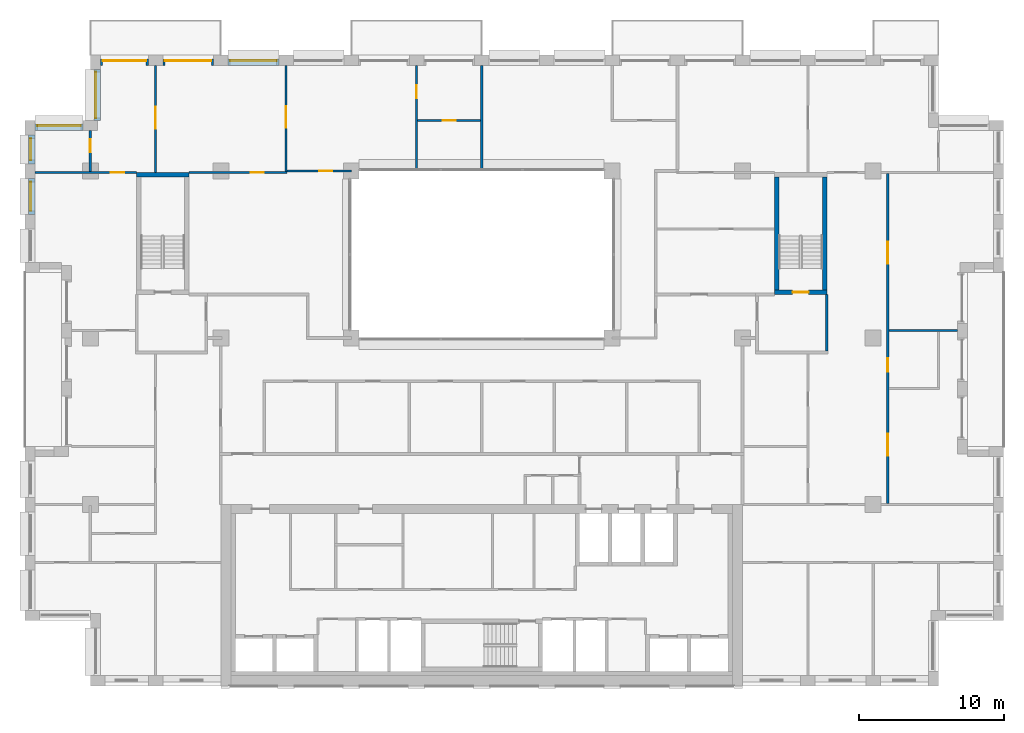
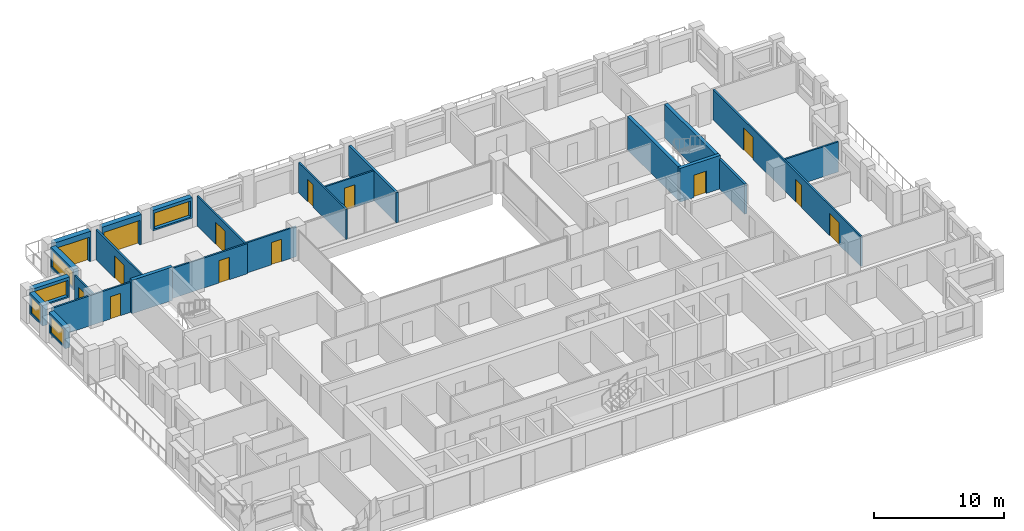
# One storey, part 12 of 16: 23 walls, 14 doors, 5 windows, 19 openings.
"""IFC4 building model written with IfcOpenShell, lengths in metres."""

from ifc_helpers import new_model, si_unit, direction, frame, frame_2d, origin, place, context, subcontext, project, spatial, rectangle, extrude, material, layer, layer_set, type_object, element, fill, save


model = new_model("IFC4")

# Units and contexts
model_context = context("Model", 3, precision=1e-05, world=origin(), true_north=direction((0.0, 1.0)))
body_context = subcontext(model_context, "Body", "Model", "MODEL_VIEW")
ifc_project = project(units=[si_unit("LENGTHUNIT", "METRE"), si_unit("AREAUNIT", "SQUARE_METRE"), si_unit("VOLUMEUNIT", "CUBIC_METRE"), si_unit("PLANEANGLEUNIT", "RADIAN"), si_unit("MASSUNIT", "GRAM", prefix="KILO")], contexts=[model_context])

# Site, building, storey
site_placement = place(None, origin())
site = spatial("IfcSite", under=ifc_project, at=site_placement, CompositionType="ELEMENT")
building_placement = place(site_placement, origin())
building = spatial("IfcBuilding", under=site, at=building_placement, Name="Brigalow Station Residences", CompositionType="ELEMENT")
storey_placement = place(building_placement, frame((0.0, 0.0, 169.64990234375)))
storey = spatial("IfcBuildingStorey", under=building, at=storey_placement, Name="L49", CompositionType="ELEMENT", Elevation=169.64990234375)

# Wall, opening, window
ifc_material_1 = material(Name="Clay brick masonry", Category="masonry")
ifc_layer_1 = layer(ifc_material_1, 0.449951171875)
ifc_layer_set_1 = layer_set([ifc_layer_1], Name="BRICK INFILL WALL 450")
wall_type_1 = type_object("IfcWallType", Name="BRICK INFILL WALL 450", PredefinedType="SOLIDWALL", material=ifc_layer_set_1)
wall_1_placement = place(storey_placement, frame((22.0, 43.02490234375, 0.900146484375), z_axis=(0.0, 0.0, 1.0), x_axis=(-1.0, 0.0, 0.0)))
wall_1 = element("IfcWall", 1, at=wall_1_placement, inside=storey, type_object=wall_type_1, Name="L49/ewall/W-L49-32", PredefinedType="SOLIDWALL", context=body_context, shape_type="SweptSolid", body=[
    extrude(rectangle(XDim=3.5, YDim=0.449951171875, at=frame_2d((1.75, 0.0))), origin(), (0.0, 0.0, 1.0), 1.929931640625),
])
opening_1_placement = place(wall_1_placement, frame((0.14990234375, 0.0, 0.14990234375)))
opening_1 = element("IfcOpeningElement", 2, at=opening_1_placement, cuts=wall_1, Name="Opening WT-9", PredefinedType="OPENING", context=body_context, shape_type="SweptSolid", body=[
    extrude(rectangle(XDim=3.199951171875, YDim=1.5, at=frame_2d((1.60009765625, 0.75))), frame((0.0, 0.23486328125, 0.0), z_axis=(0.0, -1.0, 0.0), x_axis=(1.0, 0.0, 0.0)), (0.0, 0.0, 1.0), 0.469970703125),
])
ifc_material_2 = material(Name="Anodised aluminium frame with double glazing", Category="aluminium")
window_type_1 = type_object("IfcWindowType", Name="WINDOW 3200x1500", PartitioningType="SINGLE_PANEL", PredefinedType="WINDOW", material=ifc_material_2)
window_1_placement = place(opening_1_placement, origin())
window_1 = element("IfcWindow", 3, at=window_1_placement, inside=storey, type_object=window_type_1, Name="L49/window/W-L49-32", OverallHeight=1.5, OverallWidth=3.199951171875, PartitioningType="SINGLE_PANEL", PredefinedType="WINDOW", context=body_context, shape_type="SweptSolid", body=[
    extrude(rectangle(XDim=3.199951171875, YDim=1.5, at=frame_2d((1.60009765625, 0.75))), frame((0.0, -0.06494140625, 0.0), z_axis=(0.0, -1.0, 0.0), x_axis=(1.0, 0.0, 0.0)), (0.0, 0.0, 1.0), 0.06005859375),
])
fill(opening_1, window_1)

# Wall, opening, door
wall_2_placement = place(storey_placement, frame((17.5, 43.02490234375, 0.0), z_axis=(0.0, 0.0, 1.0), x_axis=(-1.0, 0.0, 0.0)))
wall_2 = element("IfcWall", 4, at=wall_2_placement, inside=storey, type_object=wall_type_1, Name="L49/ewall/W-L49-33", PredefinedType="SOLIDWALL", context=body_context, shape_type="SweptSolid", body=[
    extrude(rectangle(XDim=3.5, YDim=0.449951171875, at=frame_2d((1.75, 0.0))), origin(), (0.0, 0.0, 1.0), 2.830078125),
])
opening_2_placement = place(wall_2_placement, frame((0.14990234375, 0.0, 0.0)))
opening_2 = element("IfcOpeningElement", 5, at=opening_2_placement, cuts=wall_2, Name="Opening D-B3200", PredefinedType="OPENING", context=body_context, shape_type="SweptSolid", body=[
    extrude(rectangle(XDim=3.199951171875, YDim=2.300048828125, at=frame_2d((1.60009765625, 1.14990234375))), frame((0.0, 0.23486328125, 0.0), z_axis=(0.0, -1.0, 0.0), x_axis=(1.0, 0.0, 0.0)), (0.0, 0.0, 1.0), 0.469970703125),
])
ifc_material_3 = material(Name="Anodised aluminium frame with double glazing", Category="aluminium")
door_type_1 = type_object("IfcDoorType", Name="BALCONY SLIDING DOOR 3200x2300", OperationType="SLIDING_TO_LEFT", PredefinedType="DOOR", material=ifc_material_3)
door_1_placement = place(opening_2_placement, origin())
door_1 = element("IfcDoor", 6, at=door_1_placement, inside=storey, type_object=door_type_1, Name="L49/balcony-door/W-L49-33", OperationType="SLIDING_TO_LEFT", OverallHeight=2.300048828125, OverallWidth=3.199951171875, PredefinedType="DOOR", context=body_context, shape_type="SweptSolid", body=[
    extrude(rectangle(XDim=3.199951171875, YDim=2.300048828125, at=frame_2d((1.60009765625, 1.14990234375))), frame((0.0, -0.06982421875, 0.0), z_axis=(0.0, -1.0, 0.0), x_axis=(1.0, 0.0, 0.0)), (0.0, 0.0, 1.0), 0.050048828125),
])
fill(opening_2, door_1)

wall_3_placement = place(storey_placement, frame((13.0, 43.02490234375, 0.0), z_axis=(0.0, 0.0, 1.0), x_axis=(-1.0, 0.0, 0.0)))
wall_3 = element("IfcWall", 7, at=wall_3_placement, inside=storey, type_object=wall_type_1, Name="L49/ewall/W-L49-34", PredefinedType="SOLIDWALL", context=body_context, shape_type="SweptSolid", body=[
    extrude(rectangle(XDim=3.300048828125, YDim=0.449951171875, at=frame_2d((1.64990234375, 0.0))), origin(), (0.0, 0.0, 1.0), 2.830078125),
])
opening_3_placement = place(wall_3_placement, frame((0.14990234375, 0.0, 0.0)))
opening_3 = element("IfcOpeningElement", 8, at=opening_3_placement, cuts=wall_3, Name="Opening D-B3000", PredefinedType="OPENING", context=body_context, shape_type="SweptSolid", body=[
    extrude(rectangle(XDim=3.0, YDim=2.300048828125, at=frame_2d((1.5, 1.14990234375))), frame((0.0, 0.23486328125, 0.0), z_axis=(0.0, -1.0, 0.0), x_axis=(1.0, 0.0, 0.0)), (0.0, 0.0, 1.0), 0.469970703125),
])
ifc_material_4 = material(Name="Anodised aluminium frame with double glazing", Category="aluminium")
door_type_2 = type_object("IfcDoorType", Name="BALCONY SLIDING DOOR 3000x2300", OperationType="SLIDING_TO_LEFT", PredefinedType="DOOR", material=ifc_material_4)
door_2_placement = place(opening_3_placement, origin())
door_2 = element("IfcDoor", 9, at=door_2_placement, inside=storey, type_object=door_type_2, Name="L49/balcony-door/W-L49-34", OperationType="SLIDING_TO_LEFT", OverallHeight=2.300048828125, OverallWidth=3.0, PredefinedType="DOOR", context=body_context, shape_type="SweptSolid", body=[
    extrude(rectangle(XDim=3.0, YDim=2.300048828125, at=frame_2d((1.5, 1.14990234375))), frame((0.0, -0.06982421875, 0.0), z_axis=(0.0, -1.0, 0.0), x_axis=(1.0, 0.0, 0.0)), (0.0, 0.0, 1.0), 0.050048828125),
])
fill(opening_3, door_2)

# Wall, opening, window
wall_4_placement = place(storey_placement, frame((9.47509765625, 42.5, 0.900146484375), z_axis=(0.0, 0.0, 1.0), x_axis=(0.0, -1.0, 0.0)))
wall_4 = element("IfcWall", 10, at=wall_4_placement, inside=storey, type_object=wall_type_1, Name="L49/ewall/W-L49-35", PredefinedType="SOLIDWALL", context=body_context, shape_type="SweptSolid", body=[
    extrude(rectangle(XDim=3.5, YDim=0.449951171875, at=frame_2d((1.75, 0.0))), origin(), (0.0, 0.0, 1.0), 1.929931640625),
])
opening_4_placement = place(wall_4_placement, frame((0.14990234375, 0.0, 0.14990234375)))
opening_4 = element("IfcOpeningElement", 11, at=opening_4_placement, cuts=wall_4, Name="Opening WT-9", PredefinedType="OPENING", context=body_context, shape_type="SweptSolid", body=[
    extrude(rectangle(XDim=3.199951171875, YDim=1.5, at=frame_2d((1.60009765625, 0.75))), frame((0.0, 0.23486328125, 0.0), z_axis=(0.0, -1.0, 0.0), x_axis=(1.0, 0.0, 0.0)), (0.0, 0.0, 1.0), 0.469970703125),
])
window_2_placement = place(opening_4_placement, origin())
window_2 = element("IfcWindow", 12, at=window_2_placement, inside=storey, type_object=window_type_1, Name="L49/window/W-L49-35", OverallHeight=1.5, OverallWidth=3.199951171875, PartitioningType="SINGLE_PANEL", PredefinedType="WINDOW", context=body_context, shape_type="SweptSolid", body=[
    extrude(rectangle(XDim=3.199951171875, YDim=1.5, at=frame_2d((1.60009765625, 0.75))), frame((0.0, -0.06494140625, 0.0), z_axis=(0.0, -1.0, 0.0), x_axis=(1.0, 0.0, 0.0)), (0.0, 0.0, 1.0), 0.06005859375),
])
fill(opening_4, window_2)

wall_5_placement = place(storey_placement, frame((8.5, 38.52490234375, 0.900146484375), z_axis=(0.0, 0.0, 1.0), x_axis=(-1.0, 0.0, 0.0)))
wall_5 = element("IfcWall", 13, at=wall_5_placement, inside=storey, type_object=wall_type_1, Name="L49/ewall/W-L49-36", PredefinedType="SOLIDWALL", context=body_context, shape_type="SweptSolid", body=[
    extrude(rectangle(XDim=3.300048828125, YDim=0.449951171875, at=frame_2d((1.64990234375, 0.0))), origin(), (0.0, 0.0, 1.0), 1.929931640625),
])
opening_5_placement = place(wall_5_placement, frame((0.14990234375, 0.0, 0.14990234375)))
opening_5 = element("IfcOpeningElement", 14, at=opening_5_placement, cuts=wall_5, Name="Opening WT-2", PredefinedType="OPENING", context=body_context, shape_type="SweptSolid", body=[
    extrude(rectangle(XDim=3.0, YDim=1.5, at=frame_2d((1.5, 0.75))), frame((0.0, 0.23486328125, 0.0), z_axis=(0.0, -1.0, 0.0), x_axis=(1.0, 0.0, 0.0)), (0.0, 0.0, 1.0), 0.469970703125),
])
ifc_material_5 = material(Name="Anodised aluminium frame with double glazing", Category="aluminium")
window_type_2 = type_object("IfcWindowType", Name="WINDOW 3000x1500", PartitioningType="SINGLE_PANEL", PredefinedType="WINDOW", material=ifc_material_5)
window_3_placement = place(opening_5_placement, origin())
window_3 = element("IfcWindow", 15, at=window_3_placement, inside=storey, type_object=window_type_2, Name="L49/window/W-L49-36", OverallHeight=1.5, OverallWidth=3.0, PartitioningType="SINGLE_PANEL", PredefinedType="WINDOW", context=body_context, shape_type="SweptSolid", body=[
    extrude(rectangle(XDim=3.0, YDim=1.5, at=frame_2d((1.5, 0.75))), frame((0.0, -0.06494140625, 0.0), z_axis=(0.0, -1.0, 0.0), x_axis=(1.0, 0.0, 0.0)), (0.0, 0.0, 1.0), 0.06005859375),
])
fill(opening_5, window_3)

wall_6_placement = place(storey_placement, frame((4.97509765625, 38.0, 0.900146484375), z_axis=(0.0, 0.0, 1.0), x_axis=(0.0, -1.0, 0.0)))
wall_6 = element("IfcWall", 16, at=wall_6_placement, inside=storey, type_object=wall_type_1, Name="L49/ewall/W-L49-37", PredefinedType="SOLIDWALL", context=body_context, shape_type="SweptSolid", body=[
    extrude(rectangle(XDim=2.0, YDim=0.449951171875, at=frame_2d((1.0, 0.0))), origin(), (0.0, 0.0, 1.0), 1.929931640625),
])
opening_6_placement = place(wall_6_placement, frame((0.25, 0.0, 0.14990234375)))
opening_6 = element("IfcOpeningElement", 17, at=opening_6_placement, cuts=wall_6, Name="Opening WT-1", PredefinedType="OPENING", context=body_context, shape_type="SweptSolid", body=[
    extrude(rectangle(XDim=1.5, YDim=1.5, at=frame_2d((0.75, 0.75))), frame((0.0, 0.23486328125, 0.0), z_axis=(0.0, -1.0, 0.0), x_axis=(1.0, 0.0, 0.0)), (0.0, 0.0, 1.0), 0.469970703125),
])
ifc_material_6 = material(Name="Anodised aluminium frame with double glazing", Category="aluminium")
window_type_3 = type_object("IfcWindowType", Name="WINDOW 1500x1500", PartitioningType="SINGLE_PANEL", PredefinedType="WINDOW", material=ifc_material_6)
window_4_placement = place(opening_6_placement, origin())
window_4 = element("IfcWindow", 18, at=window_4_placement, inside=storey, type_object=window_type_3, Name="L49/window/W-L49-37", OverallHeight=1.5, OverallWidth=1.5, PartitioningType="SINGLE_PANEL", PredefinedType="WINDOW", context=body_context, shape_type="SweptSolid", body=[
    extrude(rectangle(XDim=1.5, YDim=1.5, at=frame_2d((0.75, 0.75))), frame((0.0, -0.06494140625, 0.0), z_axis=(0.0, -1.0, 0.0), x_axis=(1.0, 0.0, 0.0)), (0.0, 0.0, 1.0), 0.06005859375),
])
fill(opening_6, window_4)

wall_7_placement = place(storey_placement, frame((4.97509765625, 35.0, 0.900146484375), z_axis=(0.0, 0.0, 1.0), x_axis=(0.0, -1.0, 0.0)))
wall_7 = element("IfcWall", 19, at=wall_7_placement, inside=storey, type_object=wall_type_1, Name="L49/ewall/W-L49-38", PredefinedType="SOLIDWALL", context=body_context, shape_type="SweptSolid", body=[
    extrude(rectangle(XDim=2.5, YDim=0.449951171875, at=frame_2d((1.25, 0.0))), origin(), (0.0, 0.0, 1.0), 1.929931640625),
])
opening_7_placement = place(wall_7_placement, frame((0.25, 0.0, 0.14990234375)))
opening_7 = element("IfcOpeningElement", 20, at=opening_7_placement, cuts=wall_7, Name="Opening WT-7", PredefinedType="OPENING", context=body_context, shape_type="SweptSolid", body=[
    extrude(rectangle(XDim=2.0, YDim=1.5, at=frame_2d((1.0, 0.75))), frame((0.0, 0.23486328125, 0.0), z_axis=(0.0, -1.0, 0.0), x_axis=(1.0, 0.0, 0.0)), (0.0, 0.0, 1.0), 0.469970703125),
])
ifc_material_7 = material(Name="Anodised aluminium frame with double glazing", Category="aluminium")
window_type_4 = type_object("IfcWindowType", Name="WINDOW 2000x1500", PartitioningType="SINGLE_PANEL", PredefinedType="WINDOW", material=ifc_material_7)
window_5_placement = place(opening_7_placement, origin())
window_5 = element("IfcWindow", 21, at=window_5_placement, inside=storey, type_object=window_type_4, Name="L49/window/W-L49-38", OverallHeight=1.5, OverallWidth=2.0, PartitioningType="SINGLE_PANEL", PredefinedType="WINDOW", context=body_context, shape_type="SweptSolid", body=[
    extrude(rectangle(XDim=2.0, YDim=1.5, at=frame_2d((1.0, 0.75))), frame((0.0, -0.06494140625, 0.0), z_axis=(0.0, -1.0, 0.0), x_axis=(1.0, 0.0, 0.0)), (0.0, 0.0, 1.0), 0.06005859375),
])
fill(opening_7, window_5)

# Wall
ifc_material_8 = material(Name="Concrete C65", Category="concrete")
ifc_layer_2 = layer(ifc_material_8, 0.300048828125)
ifc_layer_set_2 = layer_set([ifc_layer_2], Name="CORE SHEAR WALL 300 C65")
wall_type_2 = type_object("IfcWallType", Name="CORE SHEAR WALL 300 C65", PredefinedType="SHEAR", material=ifc_layer_set_2)
wall_8_placement = place(storey_placement, frame((12.199951171875, 35.25, 0.0), z_axis=(0.0, 0.0, 1.0), x_axis=(1.0, 0.0, 0.0)))
element("IfcWall", 22, at=wall_8_placement, inside=storey, type_object=wall_type_2, Name="CORE WALL ST-S1-N L49", PredefinedType="SHEAR", context=body_context, shape_type="SweptSolid", body=[
    extrude(rectangle(XDim=3.60009765625, YDim=0.300048828125, at=frame_2d((1.800048828125, 0.0))), origin(), (0.0, 0.0, 1.0), 3.150146484375),
])

# Wall, opening, door
wall_9_placement = place(storey_placement, frame((56.199951171875, 27.14990234375, 0.0), z_axis=(0.0, 0.0, 1.0), x_axis=(1.0, 0.0, 0.0)))
wall_9 = element("IfcWall", 23, at=wall_9_placement, inside=storey, type_object=wall_type_2, Name="CORE WALL ST-S3-S L49", PredefinedType="SHEAR", context=body_context, shape_type="SweptSolid", body=[
    extrude(rectangle(XDim=3.60009765625, YDim=0.300048828125, at=frame_2d((1.800048828125, 0.0))), origin(), (0.0, 0.0, 1.0), 3.150146484375),
])
opening_8_placement = place(wall_9_placement, frame((1.25, 0.0, 0.0)))
opening_8 = element("IfcOpeningElement", 24, at=opening_8_placement, cuts=wall_9, Name="Opening D-5018", PredefinedType="OPENING", context=body_context, shape_type="SweptSolid", body=[
    extrude(rectangle(XDim=1.10009765625, YDim=2.10009765625, at=frame_2d((0.550048828125, 1.050048828125))), frame((0.0, 0.16015625, 0.0), z_axis=(0.0, -1.0, 0.0), x_axis=(1.0, 0.0, 0.0)), (0.0, 0.0, 1.0), 0.320068359375),
])
ifc_material_9 = material(Name="Steel fire door leaf in steel frame", Category="steel")
door_type_3 = type_object("IfcDoorType", Name="STAIR DOOR 1100 x 2100 FD60S", OperationType="SINGLE_SWING_LEFT", PredefinedType="DOOR", material=ifc_material_9)
door_3_placement = place(opening_8_placement, origin())
door_3 = element("IfcDoor", 25, at=door_3_placement, inside=storey, type_object=door_type_3, Name="D-5018", OperationType="SINGLE_SWING_LEFT", OverallHeight=2.10009765625, OverallWidth=1.10009765625, PredefinedType="DOOR", context=body_context, shape_type="SweptSolid", body=[
    extrude(rectangle(XDim=1.10009765625, YDim=2.10009765625, at=frame_2d((0.550048828125, 1.050048828125))), frame((0.0, 0.02490234375, 0.0), z_axis=(0.0, -1.0, 0.0), x_axis=(1.0, 0.0, 0.0)), (0.0, 0.0, 1.0), 0.050048828125),
])
fill(opening_8, door_3)

# Walls
for number, where, z_axis, x_axis, name in (
    (26, (56.35009765625, 27.300048828125, 0.0), (0.0, 0.0, 1.0), (0.0, 1.0, 0.0), "CORE WALL ST-S3-W L49"),
    (27, (59.64990234375, 27.300048828125, 0.0), (0.0, 0.0, 1.0), (0.0, 1.0, 0.0), "CORE WALL ST-S3-E L49"),
):
    element("IfcWall", number, at=place(storey_placement, frame(where, z_axis=z_axis, x_axis=x_axis)), inside=storey, type_object=wall_type_2, Name=name, PredefinedType="SHEAR", context=body_context, shape_type="SweptSolid", body=[
        extrude(rectangle(XDim=7.800048828125, YDim=0.300048828125, at=frame_2d((3.89990234375, 0.0))), origin(), (0.0, 0.0, 1.0), 3.150146484375),
    ])
ifc_material_10 = material(Name="Concrete blockwork", Category="masonry")
ifc_layer_3 = layer(ifc_material_10, 0.199951171875)
ifc_layer_set_3 = layer_set([ifc_layer_3], Name="FIRE RATED CORE PARTITION 200")
wall_type_3 = type_object("IfcWallType", Name="FIRE RATED CORE PARTITION 200", PredefinedType="PARTITIONING", material=ifc_layer_set_3)
wall_10_placement = place(storey_placement, frame((59.800048828125, 23.10009765625, 0.0), z_axis=(0.0, 0.0, 1.0), x_axis=(0.0, 1.0, 0.0)))
element("IfcWall", 28, at=wall_10_placement, inside=storey, type_object=wall_type_3, Name="PW-5037", PredefinedType="PARTITIONING", context=body_context, shape_type="SweptSolid", body=[
    extrude(rectangle(XDim=3.89990234375, YDim=0.199951171875, at=frame_2d((1.949951171875, 0.0))), origin(), (0.0, 0.0, 1.0), 2.830078125),
])
ifc_material_11 = material(Name="Plasterboard on steel stud partition", Category="steel")
ifc_layer_4 = layer(ifc_material_11, 0.14990234375)
ifc_layer_set_4 = layer_set([ifc_layer_4], Name="FLAT PARTITION 150")
wall_type_4 = type_object("IfcWallType", Name="FLAT PARTITION 150", PredefinedType="PARTITIONING", material=ifc_layer_set_4)
wall_11_placement = place(storey_placement, frame((64.074951171875, 24.5, 0.0), z_axis=(0.0, 0.0, 1.0), x_axis=(1.0, 0.0, 0.0)))
element("IfcWall", 29, at=wall_11_placement, inside=storey, type_object=wall_type_4, Name="PW-3D16", PredefinedType="PARTITIONING", context=body_context, shape_type="SweptSolid", body=[
    extrude(rectangle(XDim=4.72509765625, YDim=0.14990234375, at=frame_2d((2.362548828125, 0.0))), origin(), (0.0, 0.0, 1.0), 2.830078125),
])

# Wall, opening, door
wall_12_placement = place(storey_placement, frame((5.199951171875, 35.39990234375, 0.0), z_axis=(0.0, 0.0, 1.0), x_axis=(1.0, 0.0, 0.0)))
wall_12 = element("IfcWall", 30, at=wall_12_placement, inside=storey, type_object=wall_type_4, Name="PW-3D17", PredefinedType="PARTITIONING", context=body_context, shape_type="SweptSolid", body=[
    extrude(rectangle(XDim=7.0, YDim=0.14990234375, at=frame_2d((3.5, 0.0))), origin(), (0.0, 0.0, 1.0), 2.830078125),
])
opening_9_placement = place(wall_12_placement, frame((5.22509765625, 0.0, 0.0)))
opening_9 = element("IfcOpeningElement", 31, at=opening_9_placement, cuts=wall_12, Name="Opening D-3D11", PredefinedType="OPENING", context=body_context, shape_type="SweptSolid", body=[
    extrude(rectangle(XDim=0.89990234375, YDim=2.10009765625, at=frame_2d((0.449951171875, 1.050048828125))), frame((0.0, 0.0849609375, 0.0), z_axis=(0.0, -1.0, 0.0), x_axis=(1.0, 0.0, 0.0)), (0.0, 0.0, 1.0), 0.169921875),
])
ifc_material_12 = material(Name="Solid-core timber door leaf", Category="wood")
door_type_4 = type_object("IfcDoorType", Name="INTERNAL DOOR 900 x 2100", OperationType="SINGLE_SWING_LEFT", PredefinedType="DOOR", material=ifc_material_12)
door_4_placement = place(opening_9_placement, origin())
door_4 = element("IfcDoor", 32, at=door_4_placement, inside=storey, type_object=door_type_4, Name="D-3D11", OperationType="SINGLE_SWING_LEFT", OverallHeight=2.10009765625, OverallWidth=0.89990234375, PredefinedType="DOOR", context=body_context, shape_type="SweptSolid", body=[
    extrude(rectangle(XDim=0.89990234375, YDim=2.10009765625, at=frame_2d((0.449951171875, 1.050048828125))), frame((0.0, 0.02490234375, 0.0), z_axis=(0.0, -1.0, 0.0), x_axis=(1.0, 0.0, 0.0)), (0.0, 0.0, 1.0), 0.050048828125),
])
fill(opening_9, door_4)

wall_13_placement = place(storey_placement, frame((15.800048828125, 35.39990234375, 0.0), z_axis=(0.0, 0.0, 1.0), x_axis=(1.0, 0.0, 0.0)))
wall_13 = element("IfcWall", 33, at=wall_13_placement, inside=storey, type_object=wall_type_4, Name="PW-3D18", PredefinedType="PARTITIONING", context=body_context, shape_type="SweptSolid", body=[
    extrude(rectangle(XDim=6.77490234375, YDim=0.14990234375, at=frame_2d((3.387451171875, 0.0))), origin(), (0.0, 0.0, 1.0), 2.830078125),
])
opening_10_placement = place(wall_13_placement, frame((4.27490234375, 0.0, 0.0)))
opening_10 = element("IfcOpeningElement", 34, at=opening_10_placement, cuts=wall_13, Name="Opening D-3D14", PredefinedType="OPENING", context=body_context, shape_type="SweptSolid", body=[
    extrude(rectangle(XDim=0.89990234375, YDim=2.10009765625, at=frame_2d((0.449951171875, 1.050048828125))), frame((0.0, 0.0849609375, 0.0), z_axis=(0.0, -1.0, 0.0), x_axis=(1.0, 0.0, 0.0)), (0.0, 0.0, 1.0), 0.169921875),
])
door_5_placement = place(opening_10_placement, origin())
door_5 = element("IfcDoor", 35, at=door_5_placement, inside=storey, type_object=door_type_4, Name="D-3D14", OperationType="SINGLE_SWING_RIGHT", OverallHeight=2.10009765625, OverallWidth=0.89990234375, PredefinedType="DOOR", context=body_context, shape_type="SweptSolid", body=[
    extrude(rectangle(XDim=0.89990234375, YDim=2.10009765625, at=frame_2d((0.449951171875, 1.050048828125))), frame((0.0, 0.02490234375, 0.0), z_axis=(0.0, -1.0, 0.0), x_axis=(1.0, 0.0, 0.0)), (0.0, 0.0, 1.0), 0.050048828125),
])
fill(opening_10, door_5)

wall_14_placement = place(storey_placement, frame((22.574951171875, 35.5, 0.0), z_axis=(0.0, 0.0, 1.0), x_axis=(1.0, 0.0, 0.0)))
wall_14 = element("IfcWall", 36, at=wall_14_placement, inside=storey, type_object=wall_type_4, Name="PW-3D21", PredefinedType="PARTITIONING", context=body_context, shape_type="SweptSolid", body=[
    extrude(rectangle(XDim=4.425048828125, YDim=0.14990234375, at=frame_2d((2.21240234375, 0.0))), origin(), (0.0, 0.0, 1.0), 2.830078125),
])
opening_11_placement = place(wall_14_placement, frame((2.199951171875, 0.0, 0.0)))
opening_11 = element("IfcOpeningElement", 37, at=opening_11_placement, cuts=wall_14, Name="Opening D-3D16", PredefinedType="OPENING", context=body_context, shape_type="SweptSolid", body=[
    extrude(rectangle(XDim=0.89990234375, YDim=2.10009765625, at=frame_2d((0.449951171875, 1.050048828125))), frame((0.0, 0.0849609375, 0.0), z_axis=(0.0, -1.0, 0.0), x_axis=(1.0, 0.0, 0.0)), (0.0, 0.0, 1.0), 0.169921875),
])
door_6_placement = place(opening_11_placement, origin())
door_6 = element("IfcDoor", 38, at=door_6_placement, inside=storey, type_object=door_type_4, Name="D-3D16", OperationType="SINGLE_SWING_LEFT", OverallHeight=2.10009765625, OverallWidth=0.89990234375, PredefinedType="DOOR", context=body_context, shape_type="SweptSolid", body=[
    extrude(rectangle(XDim=0.89990234375, YDim=2.10009765625, at=frame_2d((0.449951171875, 1.050048828125))), frame((0.0, 0.02490234375, 0.0), z_axis=(0.0, -1.0, 0.0), x_axis=(1.0, 0.0, 0.0)), (0.0, 0.0, 1.0), 0.050048828125),
])
fill(opening_11, door_6)

wall_15_placement = place(storey_placement, frame((31.574951171875, 39.0, 0.0), z_axis=(0.0, 0.0, 1.0), x_axis=(1.0, 0.0, 0.0)))
wall_15 = element("IfcWall", 39, at=wall_15_placement, inside=storey, type_object=wall_type_4, Name="PW-3D23", PredefinedType="PARTITIONING", context=body_context, shape_type="SweptSolid", body=[
    extrude(rectangle(XDim=4.324951171875, YDim=0.14990234375, at=frame_2d((2.16259765625, 0.0))), origin(), (0.0, 0.0, 1.0), 2.830078125),
])
opening_12_placement = place(wall_15_placement, frame((1.72509765625, 0.0, 0.0)))
opening_12 = element("IfcOpeningElement", 40, at=opening_12_placement, cuts=wall_15, Name="Opening D-3D18", PredefinedType="OPENING", context=body_context, shape_type="SweptSolid", body=[
    extrude(rectangle(XDim=0.89990234375, YDim=2.10009765625, at=frame_2d((0.449951171875, 1.050048828125))), frame((0.0, 0.0849609375, 0.0), z_axis=(0.0, -1.0, 0.0), x_axis=(1.0, 0.0, 0.0)), (0.0, 0.0, 1.0), 0.169921875),
])
door_7_placement = place(opening_12_placement, frame((0.89990234375, 0.0, 0.0), z_axis=(0.0, 0.0, 1.0), x_axis=(-1.0, 0.0, 0.0)))
door_7 = element("IfcDoor", 41, at=door_7_placement, inside=storey, type_object=door_type_4, Name="D-3D18", OperationType="SINGLE_SWING_LEFT", OverallHeight=2.10009765625, OverallWidth=0.89990234375, PredefinedType="DOOR", context=body_context, shape_type="SweptSolid", body=[
    extrude(rectangle(XDim=0.89990234375, YDim=2.10009765625, at=frame_2d((0.449951171875, 1.050048828125))), frame((0.0, 0.02490234375, 0.0), z_axis=(0.0, -1.0, 0.0), x_axis=(1.0, 0.0, 0.0)), (0.0, 0.0, 1.0), 0.050048828125),
])
fill(opening_12, door_7)

wall_16_placement = place(storey_placement, frame((13.5, 35.39990234375, 0.0), z_axis=(0.0, 0.0, 1.0), x_axis=(0.0, 1.0, 0.0)))
wall_16 = element("IfcWall", 42, at=wall_16_placement, inside=storey, type_object=wall_type_4, Name="PW-3D37", PredefinedType="PARTITIONING", context=body_context, shape_type="SweptSolid", body=[
    extrude(rectangle(XDim=7.400146484375, YDim=0.14990234375, at=frame_2d((3.7001953125, 0.0))), origin(), (0.0, 0.0, 1.0), 2.830078125),
])
opening_13_placement = place(wall_16_placement, frame((3.02490234375, 0.0, 0.0)))
opening_13 = element("IfcOpeningElement", 43, at=opening_13_placement, cuts=wall_16, Name="Opening D-3D13", PredefinedType="OPENING", context=body_context, shape_type="SweptSolid", body=[
    extrude(rectangle(XDim=1.5, YDim=2.10009765625, at=frame_2d((0.75, 1.050048828125))), frame((0.0, 0.0849609375, 0.0), z_axis=(0.0, -1.0, 0.0), x_axis=(1.0, 0.0, 0.0)), (0.0, 0.0, 1.0), 0.169921875),
])
ifc_material_13 = material(Name="Solid-core timber door leaf", Category="wood")
door_type_5 = type_object("IfcDoorType", Name="INTERNAL DOUBLE DOOR 1500 x 2100", OperationType="DOUBLE_DOOR_SINGLE_SWING", PredefinedType="DOOR", material=ifc_material_13)
door_8_placement = place(opening_13_placement, origin())
door_8 = element("IfcDoor", 44, at=door_8_placement, inside=storey, type_object=door_type_5, Name="D-3D13", OperationType="DOUBLE_DOOR_SINGLE_SWING", OverallHeight=2.10009765625, OverallWidth=1.5, PredefinedType="DOOR", context=body_context, shape_type="SweptSolid", body=[
    extrude(rectangle(XDim=1.5, YDim=2.10009765625, at=frame_2d((0.75, 1.050048828125))), frame((0.0, 0.02490234375, 0.0), z_axis=(0.0, -1.0, 0.0), x_axis=(1.0, 0.0, 0.0)), (0.0, 0.0, 1.0), 0.050048828125),
])
fill(opening_13, door_8)

wall_17_placement = place(storey_placement, frame((9.0, 35.47509765625, 0.0), z_axis=(0.0, 0.0, 1.0), x_axis=(0.0, 1.0, 0.0)))
wall_17 = element("IfcWall", 45, at=wall_17_placement, inside=storey, type_object=wall_type_4, Name="PW-3D39", PredefinedType="PARTITIONING", context=body_context, shape_type="SweptSolid", body=[
    extrude(rectangle(XDim=2.824951171875, YDim=0.14990234375, at=frame_2d((1.41259765625, 0.0))), origin(), (0.0, 0.0, 1.0), 2.830078125),
])
opening_14_placement = place(wall_17_placement, frame((1.324951171875, 0.0, 0.0)))
opening_14 = element("IfcOpeningElement", 46, at=opening_14_placement, cuts=wall_17, Name="Opening D-3D12", PredefinedType="OPENING", context=body_context, shape_type="SweptSolid", body=[
    extrude(rectangle(XDim=0.89990234375, YDim=2.10009765625, at=frame_2d((0.449951171875, 1.050048828125))), frame((0.0, 0.0849609375, 0.0), z_axis=(0.0, -1.0, 0.0), x_axis=(1.0, 0.0, 0.0)), (0.0, 0.0, 1.0), 0.169921875),
])
door_9_placement = place(opening_14_placement, origin())
door_9 = element("IfcDoor", 47, at=door_9_placement, inside=storey, type_object=door_type_4, Name="D-3D12", OperationType="SINGLE_SWING_RIGHT", OverallHeight=2.10009765625, OverallWidth=0.89990234375, PredefinedType="DOOR", context=body_context, shape_type="SweptSolid", body=[
    extrude(rectangle(XDim=0.89990234375, YDim=2.10009765625, at=frame_2d((0.449951171875, 1.050048828125))), frame((0.0, 0.02490234375, 0.0), z_axis=(0.0, -1.0, 0.0), x_axis=(1.0, 0.0, 0.0)), (0.0, 0.0, 1.0), 0.050048828125),
])
fill(opening_14, door_9)

wall_18_placement = place(storey_placement, frame((22.5, 35.47509765625, 0.0), z_axis=(0.0, 0.0, 1.0), x_axis=(0.0, 1.0, 0.0)))
wall_18 = element("IfcWall", 48, at=wall_18_placement, inside=storey, type_object=wall_type_4, Name="PW-3D40", PredefinedType="PARTITIONING", context=body_context, shape_type="SweptSolid", body=[
    extrude(rectangle(XDim=7.324951171875, YDim=0.14990234375, at=frame_2d((3.66259765625, 0.0))), origin(), (0.0, 0.0, 1.0), 2.830078125),
])
opening_15_placement = place(wall_18_placement, frame((3.0, 0.0, 0.0)))
opening_15 = element("IfcOpeningElement", 49, at=opening_15_placement, cuts=wall_18, Name="Opening D-3D15", PredefinedType="OPENING", context=body_context, shape_type="SweptSolid", body=[
    extrude(rectangle(XDim=1.5, YDim=2.10009765625, at=frame_2d((0.75, 1.050048828125))), frame((0.0, 0.0849609375, 0.0), z_axis=(0.0, -1.0, 0.0), x_axis=(1.0, 0.0, 0.0)), (0.0, 0.0, 1.0), 0.169921875),
])
door_10_placement = place(opening_15_placement, frame((1.5, 0.0, 0.0), z_axis=(0.0, 0.0, 1.0), x_axis=(-1.0, 0.0, 0.0)))
door_10 = element("IfcDoor", 50, at=door_10_placement, inside=storey, type_object=door_type_5, Name="D-3D15", OperationType="DOUBLE_DOOR_SINGLE_SWING", OverallHeight=2.10009765625, OverallWidth=1.5, PredefinedType="DOOR", context=body_context, shape_type="SweptSolid", body=[
    extrude(rectangle(XDim=1.5, YDim=2.10009765625, at=frame_2d((0.75, 1.050048828125))), frame((0.0, 0.02490234375, 0.0), z_axis=(0.0, -1.0, 0.0), x_axis=(1.0, 0.0, 0.0)), (0.0, 0.0, 1.0), 0.050048828125),
])
fill(opening_15, door_10)

wall_19_placement = place(storey_placement, frame((31.5, 35.5, 0.0), z_axis=(0.0, 0.0, 1.0), x_axis=(0.0, 1.0, 0.0)))
wall_19 = element("IfcWall", 51, at=wall_19_placement, inside=storey, type_object=wall_type_4, Name="PW-3D41", PredefinedType="PARTITIONING", context=body_context, shape_type="SweptSolid", body=[
    extrude(rectangle(XDim=7.300048828125, YDim=0.14990234375, at=frame_2d((3.64990234375, 0.0))), origin(), (0.0, 0.0, 1.0), 2.830078125),
])
opening_16_placement = place(wall_19_placement, frame((5.02490234375, 0.0, 0.0)))
opening_16 = element("IfcOpeningElement", 52, at=opening_16_placement, cuts=wall_19, Name="Opening D-3D17", PredefinedType="OPENING", context=body_context, shape_type="SweptSolid", body=[
    extrude(rectangle(XDim=0.89990234375, YDim=2.10009765625, at=frame_2d((0.449951171875, 1.050048828125))), frame((0.0, 0.0849609375, 0.0), z_axis=(0.0, -1.0, 0.0), x_axis=(1.0, 0.0, 0.0)), (0.0, 0.0, 1.0), 0.169921875),
])
door_11_placement = place(opening_16_placement, frame((0.89990234375, 0.0, 0.0), z_axis=(0.0, 0.0, 1.0), x_axis=(-1.0, 0.0, 0.0)))
door_11 = element("IfcDoor", 53, at=door_11_placement, inside=storey, type_object=door_type_4, Name="D-3D17", OperationType="SINGLE_SWING_LEFT", OverallHeight=2.10009765625, OverallWidth=0.89990234375, PredefinedType="DOOR", context=body_context, shape_type="SweptSolid", body=[
    extrude(rectangle(XDim=0.89990234375, YDim=2.10009765625, at=frame_2d((0.449951171875, 1.050048828125))), frame((0.0, 0.02490234375, 0.0), z_axis=(0.0, -1.0, 0.0), x_axis=(1.0, 0.0, 0.0)), (0.0, 0.0, 1.0), 0.050048828125),
])
fill(opening_16, door_11)

# Wall, openings, doors
wall_20_placement = place(storey_placement, frame((64.0, 12.574951171875, 0.0), z_axis=(0.0, 0.0, 1.0), x_axis=(0.0, 1.0, 0.0)))
wall_20 = element("IfcWall", 54, at=wall_20_placement, inside=storey, type_object=wall_type_4, Name="PW-3D52", PredefinedType="PARTITIONING", context=body_context, shape_type="SweptSolid", body=[
    extrude(rectangle(XDim=22.75, YDim=0.14990234375, at=frame_2d((11.375, 0.0))), origin(), (0.0, 0.0, 1.0), 2.830078125),
])
opening_17_placement = place(wall_20_placement, frame((16.550048828125, 0.0, 0.0)))
opening_17 = element("IfcOpeningElement", 55, at=opening_17_placement, cuts=wall_20, Name="Opening D-3D25", PredefinedType="OPENING", context=body_context, shape_type="SweptSolid", body=[
    extrude(rectangle(XDim=1.5, YDim=2.10009765625, at=frame_2d((0.75, 1.050048828125))), frame((0.0, 0.0849609375, 0.0), z_axis=(0.0, -1.0, 0.0), x_axis=(1.0, 0.0, 0.0)), (0.0, 0.0, 1.0), 0.169921875),
])
opening_18_placement = place(wall_20_placement, frame((3.300048828125, 0.0, 0.0)))
opening_18 = element("IfcOpeningElement", 56, at=opening_18_placement, cuts=wall_20, Name="Opening D-3D26", PredefinedType="OPENING", context=body_context, shape_type="SweptSolid", body=[
    extrude(rectangle(XDim=1.5, YDim=2.10009765625, at=frame_2d((0.75, 1.050048828125))), frame((0.0, 0.0849609375, 0.0), z_axis=(0.0, -1.0, 0.0), x_axis=(1.0, 0.0, 0.0)), (0.0, 0.0, 1.0), 0.169921875),
])
opening_19_placement = place(wall_20_placement, frame((9.10009765625, 0.0, 0.0)))
opening_19 = element("IfcOpeningElement", 57, at=opening_19_placement, cuts=wall_20, Name="Opening D-3D28", PredefinedType="OPENING", context=body_context, shape_type="SweptSolid", body=[
    extrude(rectangle(XDim=0.89990234375, YDim=2.10009765625, at=frame_2d((0.449951171875, 1.050048828125))), frame((0.0, 0.0849609375, 0.0), z_axis=(0.0, -1.0, 0.0), x_axis=(1.0, 0.0, 0.0)), (0.0, 0.0, 1.0), 0.169921875),
])
door_12_placement = place(opening_19_placement, frame((0.89990234375, 0.0, 0.0), z_axis=(0.0, 0.0, 1.0), x_axis=(-1.0, 0.0, 0.0)))
door_12 = element("IfcDoor", 58, at=door_12_placement, inside=storey, type_object=door_type_4, Name="D-3D28", OperationType="SINGLE_SWING_RIGHT", OverallHeight=2.10009765625, OverallWidth=0.89990234375, PredefinedType="DOOR", context=body_context, shape_type="SweptSolid", body=[
    extrude(rectangle(XDim=0.89990234375, YDim=2.10009765625, at=frame_2d((0.449951171875, 1.050048828125))), frame((0.0, 0.02490234375, 0.0), z_axis=(0.0, -1.0, 0.0), x_axis=(1.0, 0.0, 0.0)), (0.0, 0.0, 1.0), 0.050048828125),
])
fill(opening_19, door_12)
door_13_placement = place(opening_17_placement, frame((1.5, 0.0, 0.0), z_axis=(0.0, 0.0, 1.0), x_axis=(-1.0, 0.0, 0.0)))
door_13 = element("IfcDoor", 59, at=door_13_placement, inside=storey, type_object=door_type_5, Name="D-3D25", OperationType="DOUBLE_DOOR_SINGLE_SWING", OverallHeight=2.10009765625, OverallWidth=1.5, PredefinedType="DOOR", context=body_context, shape_type="SweptSolid", body=[
    extrude(rectangle(XDim=1.5, YDim=2.10009765625, at=frame_2d((0.75, 1.050048828125))), frame((0.0, 0.02490234375, 0.0), z_axis=(0.0, -1.0, 0.0), x_axis=(1.0, 0.0, 0.0)), (0.0, 0.0, 1.0), 0.050048828125),
])
fill(opening_17, door_13)
door_14_placement = place(opening_18_placement, frame((1.5, 0.0, 0.0), z_axis=(0.0, 0.0, 1.0), x_axis=(-1.0, 0.0, 0.0)))
door_14 = element("IfcDoor", 60, at=door_14_placement, inside=storey, type_object=door_type_5, Name="D-3D26", OperationType="DOUBLE_DOOR_SINGLE_SWING", OverallHeight=2.10009765625, OverallWidth=1.5, PredefinedType="DOOR", context=body_context, shape_type="SweptSolid", body=[
    extrude(rectangle(XDim=1.5, YDim=2.10009765625, at=frame_2d((0.75, 1.050048828125))), frame((0.0, 0.02490234375, 0.0), z_axis=(0.0, -1.0, 0.0), x_axis=(1.0, 0.0, 0.0)), (0.0, 0.0, 1.0), 0.050048828125),
])
fill(opening_18, door_14)

# Wall
ifc_material_14 = material(Name="Plasterboard on steel stud partition", Category="steel")
ifc_layer_5 = layer(ifc_material_14, 0.199951171875)
ifc_layer_set_5 = layer_set([ifc_layer_5], Name="PARTY AND CORRIDOR WALL 200")
wall_type_5 = type_object("IfcWallType", Name="PARTY AND CORRIDOR WALL 200", PredefinedType="PARTITIONING", material=ifc_layer_set_5)
wall_21_placement = place(storey_placement, frame((36.0, 35.5, 0.0), z_axis=(0.0, 0.0, 1.0), x_axis=(0.0, 1.0, 0.0)))
element("IfcWall", 61, at=wall_21_placement, inside=storey, type_object=wall_type_5, Name="PW-3D43", PredefinedType="PARTITIONING", context=body_context, shape_type="SweptSolid", body=[
    extrude(rectangle(XDim=7.300048828125, YDim=0.199951171875, at=frame_2d((3.64990234375, 0.0))), origin(), (0.0, 0.0, 1.0), 2.830078125),
])

save(model, "model.ifc")
